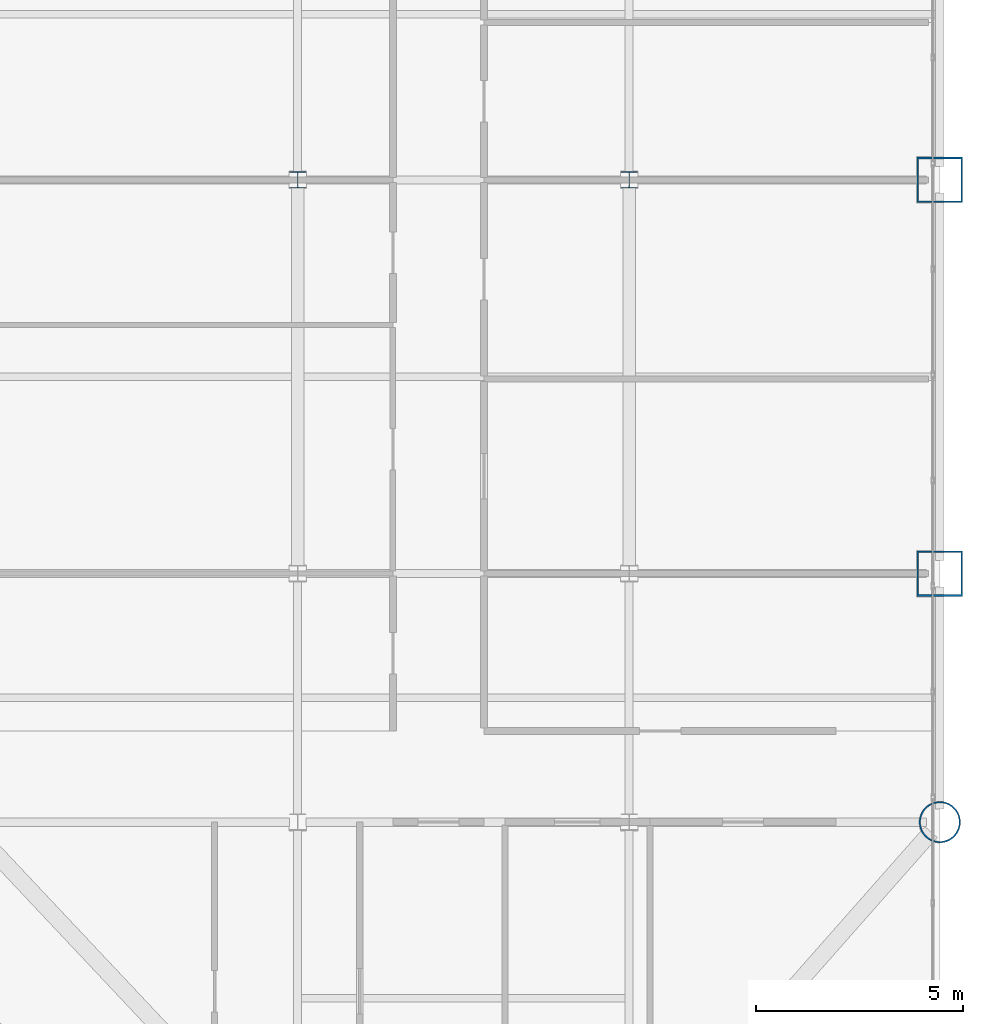
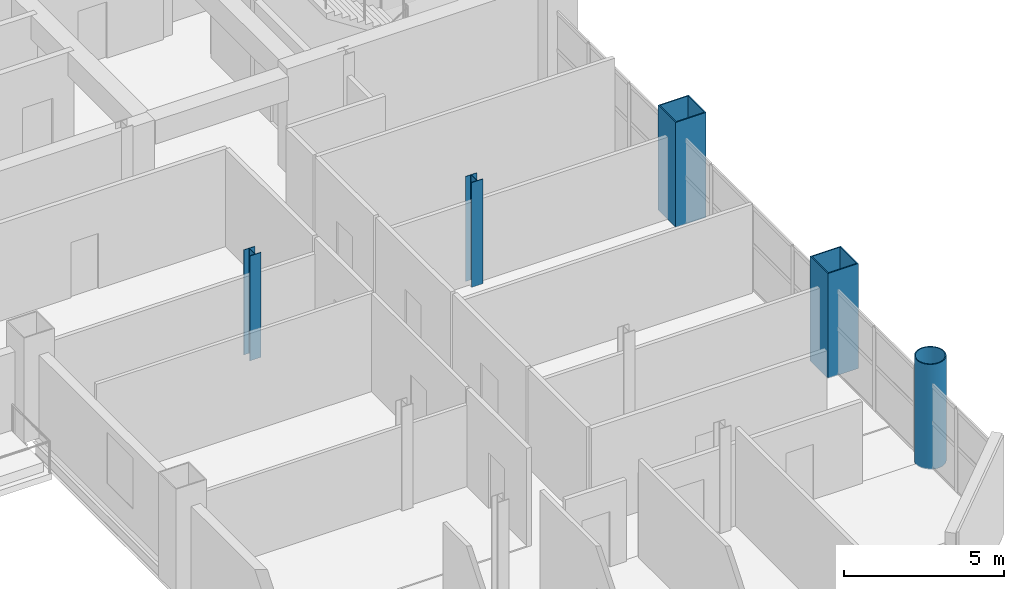
# One storey, part 2 of 16: 5 columns.
"""IFC4 building model written with IfcOpenShell, lengths in metres."""

from ifc_helpers import new_model, si_unit, direction, frame, origin, origin_2d, place, context, subcontext, project, spatial, hollow_rectangle, hollow_circle, i_section, extrude, material, material_profile, profile_set, type_object, element, save


model = new_model("IFC4")

# Units and contexts
model_context = context("Model", 3, precision=1e-05, world=origin(), true_north=direction((0.0, 1.0)))
body_context = subcontext(model_context, "Body", "Model", "MODEL_VIEW")
ifc_project = project(units=[si_unit("LENGTHUNIT", "METRE"), si_unit("AREAUNIT", "SQUARE_METRE"), si_unit("VOLUMEUNIT", "CUBIC_METRE"), si_unit("PLANEANGLEUNIT", "RADIAN"), si_unit("MASSUNIT", "GRAM", prefix="KILO")], contexts=[model_context])

# Site, building, storey
site_placement = place(None, origin())
site = spatial("IfcSite", under=ifc_project, at=site_placement, CompositionType="ELEMENT")
building_placement = place(site_placement, origin())
building = spatial("IfcBuilding", under=site, at=building_placement, Name="Qianrong Seaharbour Tower", CompositionType="ELEMENT")
storey_placement = place(building_placement, frame((0.0, 0.0, 119.0)))
storey = spatial("IfcBuildingStorey", under=building, at=storey_placement, Name="L28", CompositionType="ELEMENT", Elevation=119.0)

# Columns
ifc_material = material(Name="Structural steel SN490B", Category="steel")
ifc_material_profile_1 = material_profile(ifc_material, hollow_rectangle(XDim=1.10009765625, YDim=1.10009765625, WallThickness=0.0400390625, at=origin_2d()), Name="BOX1100x1100x40")
ifc_profile_set_1 = profile_set([ifc_material_profile_1], Name="Structural steel SN490B")
column_type_1 = type_object("IfcColumnType", Name="COL-CFT-1100", PredefinedType="COLUMN", material=ifc_profile_set_1)
for number, where, z_axis, x_axis, name in (
    (1, (64.0, 18.5, 0.0), (0.0, 0.0, 1.0), (1.0, 0.0, 0.0), "L28 Column MC-3 at G9/GD"),
    (2, (64.0, 28.0, 0.0), (0.0, 0.0, 1.0), (1.0, 0.0, 0.0), "L28 Column MC-3 at G9/GE"),
):
    element("IfcColumn", number, at=place(storey_placement, frame(where, z_axis=z_axis, x_axis=x_axis)), inside=storey, type_object=column_type_1, Name=name, PredefinedType="COLUMN", context=body_context, shape_type="SweptSolid", body=[
        extrude(hollow_rectangle(XDim=1.10009765625, YDim=1.10009765625, WallThickness=0.0400390625, at=origin_2d()), origin(), (0.0, 0.0, 1.0), 4.0),
    ])
ifc_material_profile_2 = material_profile(ifc_material, hollow_circle(Radius=0.5, WallThickness=0.035888671875, at=origin_2d()), Name="CHS1000x36")
ifc_profile_set_2 = profile_set([ifc_material_profile_2], Name="Structural steel SN490B")
column_type_2 = type_object("IfcColumnType", Name="COL-CHS-1000", PredefinedType="COLUMN", material=ifc_profile_set_2)
column_placement = place(storey_placement, frame((64.0, 12.5, 0.0), z_axis=(0.0, 0.0, 1.0), x_axis=(1.0, 0.0, 0.0)))
element("IfcColumn", 3, at=column_placement, inside=storey, type_object=column_type_2, Name="L28 Column CC-2 at G9/GC", PredefinedType="COLUMN", context=body_context, shape_type="SweptSolid", body=[
    extrude(hollow_circle(Radius=0.5, WallThickness=0.035888671875, at=origin_2d()), origin(), (0.0, 0.0, 1.0), 4.0),
])
ifc_material_profile_3 = material_profile(ifc_material, i_section(OverallWidth=0.39990234375, OverallDepth=0.39990234375, WebThickness=0.012939453125, FlangeThickness=0.02099609375, FilletRadius=0.02197265625, at=origin_2d()), Name="H400x400x13x21")
ifc_profile_set_3 = profile_set([ifc_material_profile_3], Name="Structural steel SN490B")
column_type_3 = type_object("IfcColumnType", Name="COL-INT-H400", PredefinedType="COLUMN", material=ifc_profile_set_3)
for number, where, z_axis, x_axis, name in (
    (4, (48.5, 28.0, 0.0), (0.0, 0.0, 1.0), (1.0, 0.0, 0.0), "L28 Column IC-3 at G7/GE"),
    (5, (56.5, 28.0, 0.0), (0.0, 0.0, 1.0), (1.0, 0.0, 0.0), "L28 Column IC-3 at G8/GE"),
):
    element("IfcColumn", number, at=place(storey_placement, frame(where, z_axis=z_axis, x_axis=x_axis)), inside=storey, type_object=column_type_3, Name=name, PredefinedType="COLUMN", context=body_context, shape_type="SweptSolid", body=[
        extrude(i_section(OverallWidth=0.39990234375, OverallDepth=0.39990234375, WebThickness=0.012939453125, FlangeThickness=0.02099609375, FilletRadius=0.02197265625, at=origin_2d()), origin(), (0.0, 0.0, 1.0), 4.0),
    ])

save(model, "model.ifc")
